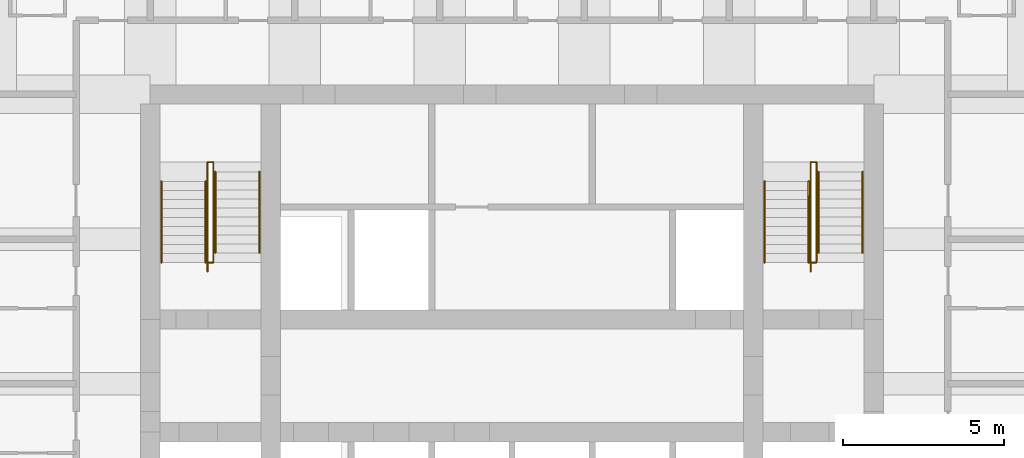
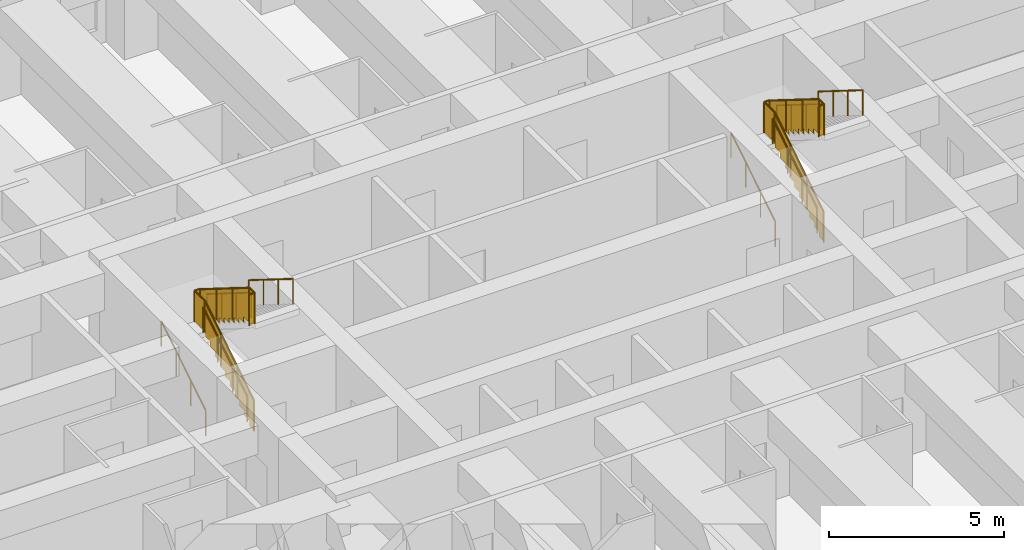
# One storey, part 8 of 8: 12 railings.
"""IFC4 building model written with IfcOpenShell, lengths in metres."""

from ifc_helpers import new_model, si_unit, direction, frame, origin, origin_2d, place, context, subcontext, project, spatial, polyline, circle, outline, extrude, material, type_object, element, save


model = new_model("IFC4")

# Units and contexts
model_context = context("Model", 3, precision=1e-05, world=origin(), true_north=direction((0.0, 1.0)))
body_context = subcontext(model_context, "Body", "Model", "MODEL_VIEW")
ifc_project = project(units=[si_unit("LENGTHUNIT", "METRE"), si_unit("AREAUNIT", "SQUARE_METRE"), si_unit("VOLUMEUNIT", "CUBIC_METRE"), si_unit("PLANEANGLEUNIT", "RADIAN"), si_unit("MASSUNIT", "GRAM", prefix="KILO")], contexts=[model_context])

# Site, building, storey
site_placement = place(None, origin())
site = spatial("IfcSite", under=ifc_project, at=site_placement, CompositionType="ELEMENT")
building_placement = place(site_placement, origin())
building = spatial("IfcBuilding", under=site, at=building_placement, Name="Kilele Tower Hotel", CompositionType="ELEMENT")
storey_placement = place(building_placement, frame((0.0, 0.0, 29.699951171875)))
storey = spatial("IfcBuildingStorey", under=building, at=storey_placement, Name="L05", CompositionType="ELEMENT", Elevation=29.699951171875)

# Railings
ifc_material_1 = material(Name="Steel handrail", Category="steel")
railing_type_1 = type_object("IfcRailingType", Name="Handrail 900", PredefinedType="HANDRAIL", material=ifc_material_1)
for number, where, name in (
    (1, (13.85009765625, 21.77490234375, 0.175048828125), "Handrail ST1 flight 1"),
    (2, (15.22509765625, 21.77490234375, 0.175048828125), "Handrail ST1 flight 1"),
):
    element("IfcRailing", number, at=place(storey_placement, frame(where)), inside=storey, type_object=railing_type_1, Name=name, PredefinedType="HANDRAIL", context=body_context, shape_type="SweptSolid", body=[
        extrude(circle(Radius=0.02490234375, at=origin_2d()), frame((0.0, 0.0, 0.875), z_axis=(0.0, 0.848007534815, 0.529984170421), x_axis=(-1.0, 0.0, 0.0)), (0.0, 0.0, 1.0), 2.9716796875),
        extrude(circle(Radius=0.02001953125, at=origin_2d()), origin(), (0.0, 0.0, 1.0), 0.849853515625),
        extrude(circle(Radius=0.02001953125, at=origin_2d()), frame((0.0, 0.840087890625, 0.52490234375)), (0.0, 0.0, 1.0), 0.849853515625),
        extrude(circle(Radius=0.02001953125, at=origin_2d()), frame((0.0, 1.679931640625, 1.050048828125)), (0.0, 0.0, 1.0), 0.849853515625),
        extrude(circle(Radius=0.02001953125, at=origin_2d()), frame((0.0, 2.52001953125, 1.574951171875)), (0.0, 0.0, 1.0), 0.849853515625),
    ])
for number, where, name in (
    (3, (15.52490234375, 24.594970703125, 1.925048828125), "Handrail ST1 flight 2"),
    (4, (16.89990234375, 24.594970703125, 1.925048828125), "Handrail ST1 flight 2"),
):
    element("IfcRailing", number, at=place(storey_placement, frame(where)), inside=storey, type_object=railing_type_1, Name=name, PredefinedType="HANDRAIL", context=body_context, shape_type="SweptSolid", body=[
        extrude(circle(Radius=0.02490234375, at=origin_2d()), frame((0.0, 0.0, 0.875), z_axis=(0.0, -0.848007534815, 0.529984170421), x_axis=(1.0, 0.0, 0.0)), (0.0, 0.0, 1.0), 2.9716796875),
        extrude(circle(Radius=0.02001953125, at=origin_2d()), origin(), (0.0, 0.0, 1.0), 0.849853515625),
        extrude(circle(Radius=0.02001953125, at=origin_2d()), frame((0.0, -0.840087890625, 0.52490234375)), (0.0, 0.0, 1.0), 0.849853515625),
        extrude(circle(Radius=0.02001953125, at=origin_2d()), frame((0.0, -1.679931640625, 1.050048828125)), (0.0, 0.0, 1.0), 0.849853515625),
        extrude(circle(Radius=0.02001953125, at=origin_2d()), frame((0.0, -2.52001953125, 1.574951171875)), (0.0, 0.0, 1.0), 0.849853515625),
    ])
for number, where, name in (
    (5, (32.60009765625, 21.77490234375, 0.175048828125), "Handrail ST2 flight 1"),
    (6, (33.97509765625, 21.77490234375, 0.175048828125), "Handrail ST2 flight 1"),
):
    element("IfcRailing", number, at=place(storey_placement, frame(where)), inside=storey, type_object=railing_type_1, Name=name, PredefinedType="HANDRAIL", context=body_context, shape_type="SweptSolid", body=[
        extrude(circle(Radius=0.02490234375, at=origin_2d()), frame((0.0, 0.0, 0.875), z_axis=(0.0, 0.848007534815, 0.529984170421), x_axis=(-1.0, 0.0, 0.0)), (0.0, 0.0, 1.0), 2.9716796875),
        extrude(circle(Radius=0.02001953125, at=origin_2d()), origin(), (0.0, 0.0, 1.0), 0.849853515625),
        extrude(circle(Radius=0.02001953125, at=origin_2d()), frame((0.0, 0.840087890625, 0.52490234375)), (0.0, 0.0, 1.0), 0.849853515625),
        extrude(circle(Radius=0.02001953125, at=origin_2d()), frame((0.0, 1.679931640625, 1.050048828125)), (0.0, 0.0, 1.0), 0.849853515625),
        extrude(circle(Radius=0.02001953125, at=origin_2d()), frame((0.0, 2.52001953125, 1.574951171875)), (0.0, 0.0, 1.0), 0.849853515625),
    ])
for number, where, name in (
    (7, (34.27490234375, 24.594970703125, 1.925048828125), "Handrail ST2 flight 2"),
    (8, (35.64990234375, 24.594970703125, 1.925048828125), "Handrail ST2 flight 2"),
):
    element("IfcRailing", number, at=place(storey_placement, frame(where)), inside=storey, type_object=railing_type_1, Name=name, PredefinedType="HANDRAIL", context=body_context, shape_type="SweptSolid", body=[
        extrude(circle(Radius=0.02490234375, at=origin_2d()), frame((0.0, 0.0, 0.875), z_axis=(0.0, -0.848007534815, 0.529984170421), x_axis=(1.0, 0.0, 0.0)), (0.0, 0.0, 1.0), 2.9716796875),
        extrude(circle(Radius=0.02001953125, at=origin_2d()), origin(), (0.0, 0.0, 1.0), 0.849853515625),
        extrude(circle(Radius=0.02001953125, at=origin_2d()), frame((0.0, -0.840087890625, 0.52490234375)), (0.0, 0.0, 1.0), 0.849853515625),
        extrude(circle(Radius=0.02001953125, at=origin_2d()), frame((0.0, -1.679931640625, 1.050048828125)), (0.0, 0.0, 1.0), 0.849853515625),
        extrude(circle(Radius=0.02001953125, at=origin_2d()), frame((0.0, -2.52001953125, 1.574951171875)), (0.0, 0.0, 1.0), 0.849853515625),
    ])
ifc_material_2 = material(Name="Steel guard", Category="steel")
railing_type_2 = type_object("IfcRailingType", Name="Stair guard 1100", PredefinedType="GUARDRAIL", material=ifc_material_2)
railing_1_placement = place(storey_placement, frame((15.284912109375, 21.4951171875, 0.0)))
element("IfcRailing", 9, at=railing_1_placement, inside=storey, type_object=railing_type_2, Name="Stair well guard ST1 flight 1", PredefinedType="GUARDRAIL", context=body_context, shape_type="SweptSolid", body=[
    extrude(circle(Radius=0.02490234375, at=origin_2d()), frame((0.0, 0.0, 1.0751953125), z_axis=(0.0, 0.847981687118, 0.530025526095), x_axis=(-1.0, 0.0, 0.0)), (0.0, 0.0, 1.0), 3.3017578125),
    extrude(circle(Radius=0.02490234375, at=origin_2d()), frame((0.0, 2.7998046875, 2.8251953125), z_axis=(0.0, 1.0, 0.0), x_axis=(-1.0, 0.0, 0.0)), (0.0, 0.0, 1.0), 0.60009765625),
    extrude(circle(Radius=0.02490234375, at=origin_2d()), frame((0.0, 3.39990234375, 2.8251953125), z_axis=(1.0, 0.0, 0.0), x_axis=(0.0, 1.0, 0.0)), (0.0, 0.0, 1.0), 0.18017578125),
    extrude(circle(Radius=0.02490234375, at=origin_2d()), origin(), (0.0, 0.0, 1.0), 1.050048828125),
    extrude(circle(Radius=0.02490234375, at=origin_2d()), frame((0.0, 0.933349609375, 0.583251953125)), (0.0, 0.0, 1.0), 1.050048828125),
    extrude(circle(Radius=0.02490234375, at=origin_2d()), frame((0.0, 1.866455078125, 1.166748046875)), (0.0, 0.0, 1.0), 1.050048828125),
    extrude(circle(Radius=0.02490234375, at=origin_2d()), frame((0.0, 2.7998046875, 1.75)), (0.0, 0.0, 1.0), 1.050048828125),
    extrude(circle(Radius=0.02490234375, at=origin_2d()), frame((0.0, 3.39990234375, 1.75)), (0.0, 0.0, 1.0), 1.050048828125),
    extrude(circle(Radius=0.02490234375, at=origin_2d()), frame((0.18017578125, 3.39990234375, 1.75)), (0.0, 0.0, 1.0), 1.050048828125),
    extrude(outline(polyline([(0.012451171875, 0.030029296875), (0.25, 0.030029296875), (0.25, 0.205078125), (0.530029296875, 0.205078125), (0.530029296875, 0.380126953125), (0.809814453125, 0.380126953125), (0.809814453125, 0.554931640625), (1.08984375, 0.554931640625), (1.08984375, 0.72998046875), (1.369873046875, 0.72998046875), (1.369873046875, 0.905029296875), (1.64990234375, 0.905029296875), (1.64990234375, 1.080078125), (1.929931640625, 1.080078125), (1.929931640625, 1.255126953125), (2.209716796875, 1.255126953125), (2.209716796875, 1.429931640625), (2.48974609375, 1.429931640625), (2.48974609375, 1.60498046875), (2.769775390625, 1.60498046875), (2.769775390625, 1.780029296875), (2.787353515625, 1.780029296875), (2.787353515625, 2.787841796875), (0.012451171875, 1.053466796875), (0.012451171875, 0.030029296875)])), frame((-0.005859375, 0.0, 0.0), z_axis=(1.0, 0.0, 0.0), x_axis=(0.0, 1.0, 0.0)), (0.0, 0.0, 1.0), 0.011962890625),
    extrude(outline(polyline([(0.012451171875, 0.030029296875), (0.587646484375, 0.030029296875), (0.587646484375, 1.050048828125), (0.012451171875, 1.050048828125), (0.012451171875, 0.030029296875)])), frame((-0.005859375, 2.7998046875, 1.75), z_axis=(1.0, 0.0, 0.0), x_axis=(0.0, 1.0, 0.0)), (0.0, 0.0, 1.0), 0.011962890625),
    extrude(outline(polyline([(0.012451171875, 0.030029296875), (0.18017578125, 0.030029296875), (0.18017578125, 1.050048828125), (0.012451171875, 1.050048828125), (0.012451171875, 0.030029296875)])), frame((0.0, 3.40576171875, 1.75), z_axis=(0.0, -1.0, 0.0), x_axis=(1.0, 0.0, 0.0)), (0.0, 0.0, 1.0), 0.011962890625),
])
railing_2_placement = place(storey_placement, frame((15.465087890625, 24.89501953125, 1.75)))
element("IfcRailing", 10, at=railing_2_placement, inside=storey, type_object=railing_type_2, Name="Stair well guard ST1 flight 2", PredefinedType="GUARDRAIL", context=body_context, shape_type="SweptSolid", body=[
    extrude(circle(Radius=0.02490234375, at=origin_2d()), frame((0.0, 0.0, 1.0751953125), z_axis=(0.0, -1.0, 0.0), x_axis=(1.0, 0.0, 0.0)), (0.0, 0.0, 1.0), 0.02001953125),
    extrude(circle(Radius=0.02490234375, at=origin_2d()), frame((0.0, -0.02001953125, 1.0751953125), z_axis=(0.0, -0.848002457836, 0.529992293815), x_axis=(1.0, 0.0, 0.0)), (0.0, 0.0, 1.0), 3.302001953125),
    extrude(circle(Radius=0.02490234375, at=origin_2d()), frame((0.0, -2.820068359375, 2.8251953125), z_axis=(0.0, -1.0, 0.0), x_axis=(1.0, 0.0, 0.0)), (0.0, 0.0, 1.0), 0.300048828125),
    extrude(circle(Radius=0.02490234375, at=origin_2d()), frame((0.0, -3.1201171875, 2.8251953125), z_axis=(-1.0, 0.0, 0.0), x_axis=(0.0, -1.0, 0.0)), (0.0, 0.0, 1.0), 0.18017578125),
    extrude(circle(Radius=0.02490234375, at=origin_2d()), origin(), (0.0, 0.0, 1.0), 1.050048828125),
    extrude(circle(Radius=0.02490234375, at=origin_2d()), frame((0.0, -0.02001953125, 0.0)), (0.0, 0.0, 1.0), 1.050048828125),
    extrude(circle(Radius=0.02490234375, at=origin_2d()), frame((0.0, -0.953369140625, 0.583251953125)), (0.0, 0.0, 1.0), 1.050048828125),
    extrude(circle(Radius=0.02490234375, at=origin_2d()), frame((0.0, -1.88671875, 1.166748046875)), (0.0, 0.0, 1.0), 1.050048828125),
    extrude(circle(Radius=0.02490234375, at=origin_2d()), frame((0.0, -2.820068359375, 1.75)), (0.0, 0.0, 1.0), 1.050048828125),
    extrude(circle(Radius=0.02490234375, at=origin_2d()), frame((0.0, -3.1201171875, 1.75)), (0.0, 0.0, 1.0), 1.050048828125),
    extrude(circle(Radius=0.02490234375, at=origin_2d()), frame((-0.18017578125, -3.1201171875, 1.75)), (0.0, 0.0, 1.0), 1.050048828125),
    extrude(outline(polyline([(0.012451171875, 0.030029296875), (0.25, 0.030029296875), (0.25, 0.205078125), (0.530029296875, 0.205078125), (0.530029296875, 0.380126953125), (0.81005859375, 0.380126953125), (0.81005859375, 0.554931640625), (1.090087890625, 0.554931640625), (1.090087890625, 0.72998046875), (1.3701171875, 0.72998046875), (1.3701171875, 0.905029296875), (1.64990234375, 0.905029296875), (1.64990234375, 1.080078125), (1.929931640625, 1.080078125), (1.929931640625, 1.255126953125), (2.2099609375, 1.255126953125), (2.2099609375, 1.429931640625), (2.489990234375, 1.429931640625), (2.489990234375, 1.60498046875), (2.77001953125, 1.60498046875), (2.77001953125, 1.780029296875), (2.78759765625, 1.780029296875), (2.78759765625, 2.787841796875), (0.012451171875, 1.053466796875), (0.012451171875, 0.030029296875)])), frame((0.005859375, -0.02001953125, 0.0), z_axis=(-1.0, 0.0, 0.0), x_axis=(0.0, -1.0, 0.0)), (0.0, 0.0, 1.0), 0.011962890625),
    extrude(outline(polyline([(0.012451171875, 0.030029296875), (0.28759765625, 0.030029296875), (0.28759765625, 1.050048828125), (0.012451171875, 1.050048828125), (0.012451171875, 0.030029296875)])), frame((0.005859375, -2.820068359375, 1.75), z_axis=(-1.0, 0.0, 0.0), x_axis=(0.0, -1.0, 0.0)), (0.0, 0.0, 1.0), 0.011962890625),
    extrude(outline(polyline([(0.012451171875, 0.030029296875), (0.18017578125, 0.030029296875), (0.18017578125, 1.050048828125), (0.012451171875, 1.050048828125), (0.012451171875, 0.030029296875)])), frame((0.0, -3.1259765625, 1.75), z_axis=(0.0, 1.0, 0.0), x_axis=(-1.0, 0.0, 0.0)), (0.0, 0.0, 1.0), 0.011962890625),
])
railing_3_placement = place(storey_placement, frame((34.034912109375, 21.4951171875, 0.0)))
element("IfcRailing", 11, at=railing_3_placement, inside=storey, type_object=railing_type_2, Name="Stair well guard ST2 flight 1", PredefinedType="GUARDRAIL", context=body_context, shape_type="SweptSolid", body=[
    extrude(circle(Radius=0.02490234375, at=origin_2d()), frame((0.0, 0.0, 1.0751953125), z_axis=(0.0, 0.847981687118, 0.530025526095), x_axis=(-1.0, 0.0, 0.0)), (0.0, 0.0, 1.0), 3.3017578125),
    extrude(circle(Radius=0.02490234375, at=origin_2d()), frame((0.0, 2.7998046875, 2.8251953125), z_axis=(0.0, 1.0, 0.0), x_axis=(-1.0, 0.0, 0.0)), (0.0, 0.0, 1.0), 0.60009765625),
    extrude(circle(Radius=0.02490234375, at=origin_2d()), frame((0.0, 3.39990234375, 2.8251953125), z_axis=(1.0, 0.0, 0.0), x_axis=(0.0, 1.0, 0.0)), (0.0, 0.0, 1.0), 0.18017578125),
    extrude(circle(Radius=0.02490234375, at=origin_2d()), origin(), (0.0, 0.0, 1.0), 1.050048828125),
    extrude(circle(Radius=0.02490234375, at=origin_2d()), frame((0.0, 0.933349609375, 0.583251953125)), (0.0, 0.0, 1.0), 1.050048828125),
    extrude(circle(Radius=0.02490234375, at=origin_2d()), frame((0.0, 1.866455078125, 1.166748046875)), (0.0, 0.0, 1.0), 1.050048828125),
    extrude(circle(Radius=0.02490234375, at=origin_2d()), frame((0.0, 2.7998046875, 1.75)), (0.0, 0.0, 1.0), 1.050048828125),
    extrude(circle(Radius=0.02490234375, at=origin_2d()), frame((0.0, 3.39990234375, 1.75)), (0.0, 0.0, 1.0), 1.050048828125),
    extrude(circle(Radius=0.02490234375, at=origin_2d()), frame((0.18017578125, 3.39990234375, 1.75)), (0.0, 0.0, 1.0), 1.050048828125),
    extrude(outline(polyline([(0.012451171875, 0.030029296875), (0.25, 0.030029296875), (0.25, 0.205078125), (0.530029296875, 0.205078125), (0.530029296875, 0.380126953125), (0.809814453125, 0.380126953125), (0.809814453125, 0.554931640625), (1.08984375, 0.554931640625), (1.08984375, 0.72998046875), (1.369873046875, 0.72998046875), (1.369873046875, 0.905029296875), (1.64990234375, 0.905029296875), (1.64990234375, 1.080078125), (1.929931640625, 1.080078125), (1.929931640625, 1.255126953125), (2.209716796875, 1.255126953125), (2.209716796875, 1.429931640625), (2.48974609375, 1.429931640625), (2.48974609375, 1.60498046875), (2.769775390625, 1.60498046875), (2.769775390625, 1.780029296875), (2.787353515625, 1.780029296875), (2.787353515625, 2.787841796875), (0.012451171875, 1.053466796875), (0.012451171875, 0.030029296875)])), frame((-0.005859375, 0.0, 0.0), z_axis=(1.0, 0.0, 0.0), x_axis=(0.0, 1.0, 0.0)), (0.0, 0.0, 1.0), 0.011962890625),
    extrude(outline(polyline([(0.012451171875, 0.030029296875), (0.587646484375, 0.030029296875), (0.587646484375, 1.050048828125), (0.012451171875, 1.050048828125), (0.012451171875, 0.030029296875)])), frame((-0.005859375, 2.7998046875, 1.75), z_axis=(1.0, 0.0, 0.0), x_axis=(0.0, 1.0, 0.0)), (0.0, 0.0, 1.0), 0.011962890625),
    extrude(outline(polyline([(0.012451171875, 0.030029296875), (0.18017578125, 0.030029296875), (0.18017578125, 1.050048828125), (0.012451171875, 1.050048828125), (0.012451171875, 0.030029296875)])), frame((0.0, 3.40576171875, 1.75), z_axis=(0.0, -1.0, 0.0), x_axis=(1.0, 0.0, 0.0)), (0.0, 0.0, 1.0), 0.011962890625),
])
railing_4_placement = place(storey_placement, frame((34.215087890625, 24.89501953125, 1.75)))
element("IfcRailing", 12, at=railing_4_placement, inside=storey, type_object=railing_type_2, Name="Stair well guard ST2 flight 2", PredefinedType="GUARDRAIL", context=body_context, shape_type="SweptSolid", body=[
    extrude(circle(Radius=0.02490234375, at=origin_2d()), frame((0.0, 0.0, 1.0751953125), z_axis=(0.0, -1.0, 0.0), x_axis=(1.0, 0.0, 0.0)), (0.0, 0.0, 1.0), 0.02001953125),
    extrude(circle(Radius=0.02490234375, at=origin_2d()), frame((0.0, -0.02001953125, 1.0751953125), z_axis=(0.0, -0.848002457836, 0.529992293815), x_axis=(1.0, 0.0, 0.0)), (0.0, 0.0, 1.0), 3.302001953125),
    extrude(circle(Radius=0.02490234375, at=origin_2d()), frame((0.0, -2.820068359375, 2.8251953125), z_axis=(0.0, -1.0, 0.0), x_axis=(1.0, 0.0, 0.0)), (0.0, 0.0, 1.0), 0.300048828125),
    extrude(circle(Radius=0.02490234375, at=origin_2d()), frame((0.0, -3.1201171875, 2.8251953125), z_axis=(-1.0, 0.0, 0.0), x_axis=(0.0, -1.0, 0.0)), (0.0, 0.0, 1.0), 0.18017578125),
    extrude(circle(Radius=0.02490234375, at=origin_2d()), origin(), (0.0, 0.0, 1.0), 1.050048828125),
    extrude(circle(Radius=0.02490234375, at=origin_2d()), frame((0.0, -0.02001953125, 0.0)), (0.0, 0.0, 1.0), 1.050048828125),
    extrude(circle(Radius=0.02490234375, at=origin_2d()), frame((0.0, -0.953369140625, 0.583251953125)), (0.0, 0.0, 1.0), 1.050048828125),
    extrude(circle(Radius=0.02490234375, at=origin_2d()), frame((0.0, -1.88671875, 1.166748046875)), (0.0, 0.0, 1.0), 1.050048828125),
    extrude(circle(Radius=0.02490234375, at=origin_2d()), frame((0.0, -2.820068359375, 1.75)), (0.0, 0.0, 1.0), 1.050048828125),
    extrude(circle(Radius=0.02490234375, at=origin_2d()), frame((0.0, -3.1201171875, 1.75)), (0.0, 0.0, 1.0), 1.050048828125),
    extrude(circle(Radius=0.02490234375, at=origin_2d()), frame((-0.18017578125, -3.1201171875, 1.75)), (0.0, 0.0, 1.0), 1.050048828125),
    extrude(outline(polyline([(0.012451171875, 0.030029296875), (0.25, 0.030029296875), (0.25, 0.205078125), (0.530029296875, 0.205078125), (0.530029296875, 0.380126953125), (0.81005859375, 0.380126953125), (0.81005859375, 0.554931640625), (1.090087890625, 0.554931640625), (1.090087890625, 0.72998046875), (1.3701171875, 0.72998046875), (1.3701171875, 0.905029296875), (1.64990234375, 0.905029296875), (1.64990234375, 1.080078125), (1.929931640625, 1.080078125), (1.929931640625, 1.255126953125), (2.2099609375, 1.255126953125), (2.2099609375, 1.429931640625), (2.489990234375, 1.429931640625), (2.489990234375, 1.60498046875), (2.77001953125, 1.60498046875), (2.77001953125, 1.780029296875), (2.78759765625, 1.780029296875), (2.78759765625, 2.787841796875), (0.012451171875, 1.053466796875), (0.012451171875, 0.030029296875)])), frame((0.005859375, -0.02001953125, 0.0), z_axis=(-1.0, 0.0, 0.0), x_axis=(0.0, -1.0, 0.0)), (0.0, 0.0, 1.0), 0.011962890625),
    extrude(outline(polyline([(0.012451171875, 0.030029296875), (0.28759765625, 0.030029296875), (0.28759765625, 1.050048828125), (0.012451171875, 1.050048828125), (0.012451171875, 0.030029296875)])), frame((0.005859375, -2.820068359375, 1.75), z_axis=(-1.0, 0.0, 0.0), x_axis=(0.0, -1.0, 0.0)), (0.0, 0.0, 1.0), 0.011962890625),
    extrude(outline(polyline([(0.012451171875, 0.030029296875), (0.18017578125, 0.030029296875), (0.18017578125, 1.050048828125), (0.012451171875, 1.050048828125), (0.012451171875, 0.030029296875)])), frame((0.0, -3.1259765625, 1.75), z_axis=(0.0, 1.0, 0.0), x_axis=(-1.0, 0.0, 0.0)), (0.0, 0.0, 1.0), 0.011962890625),
])

save(model, "model.ifc")
